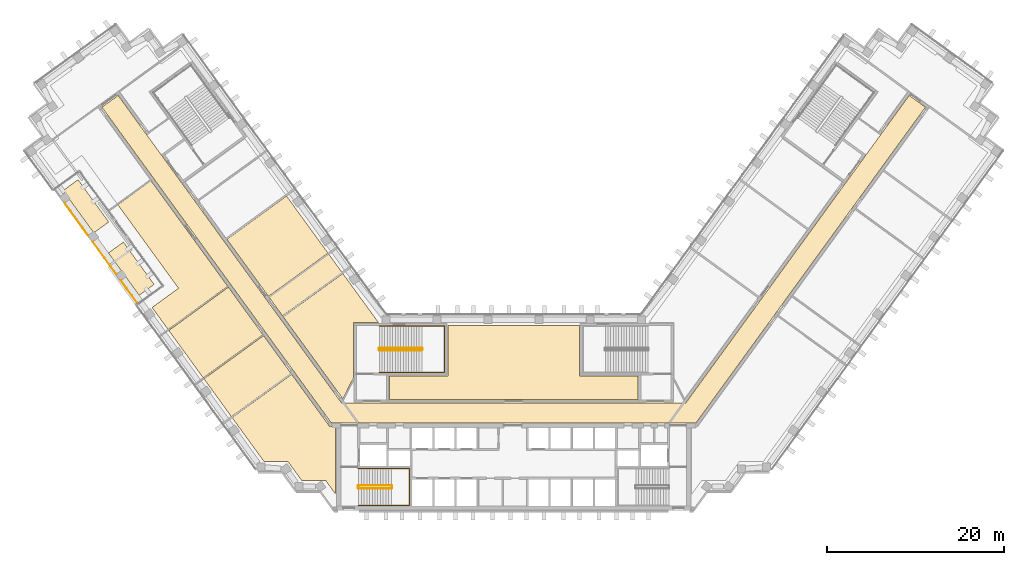
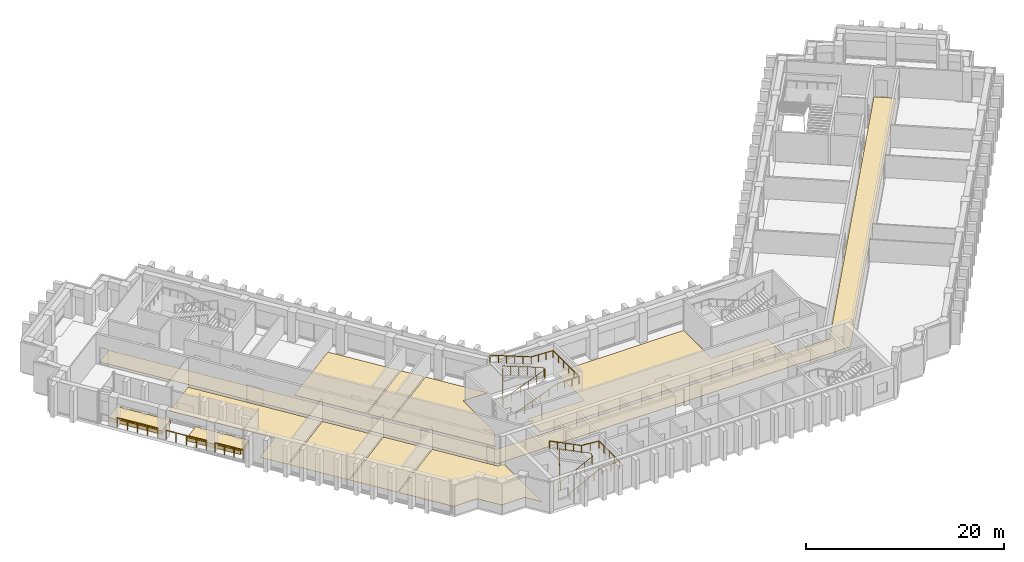
# One storey, part 14 of 17: 11 coverings, 7 railings.
"""IFC4 building model written with IfcOpenShell, lengths in metres."""

from ifc_helpers import new_model, si_unit, direction, frame, origin, origin_2d, place, context, subcontext, project, spatial, polyline, circle, outline, extrude, material, layer, layer_set, type_object, element, save


model = new_model("IFC4")

# Units and contexts
model_context = context("Model", 3, precision=1e-05, world=origin(), true_north=direction((0.0, 1.0)))
body_context = subcontext(model_context, "Body", "Model", "MODEL_VIEW")
ifc_project = project(units=[si_unit("LENGTHUNIT", "METRE"), si_unit("AREAUNIT", "SQUARE_METRE"), si_unit("VOLUMEUNIT", "CUBIC_METRE"), si_unit("PLANEANGLEUNIT", "RADIAN"), si_unit("MASSUNIT", "GRAM", prefix="KILO")], contexts=[model_context])

# Site, building, storey
site_placement = place(None, origin())
site = spatial("IfcSite", under=ifc_project, at=site_placement, CompositionType="ELEMENT")
building_placement = place(site_placement, origin())
building = spatial("IfcBuilding", under=site, at=building_placement, Name="Quipu Civic Tower", CompositionType="ELEMENT")
storey_placement = place(building_placement, frame((0.0, 0.0, 43.0)))
storey = spatial("IfcBuildingStorey", under=building, at=storey_placement, Name="L09", CompositionType="ELEMENT", Elevation=43.0)

# Coverings
ifc_material_1 = material(Name="Carpet tile on raised access floor")
ifc_layer_1 = layer(ifc_material_1, 0.02001953125)
ifc_layer_set_1 = layer_set([ifc_layer_1], Name="Carpet tile on raised access floor")
covering_type_1 = type_object("IfcCoveringType", Name="Carpet tile floor finish 20", PredefinedType="FLOORING", material=ifc_layer_set_1)
covering_1_placement = place(storey_placement, origin())
element("IfcCovering", 1, at=covering_1_placement, inside=storey, type_object=covering_type_1, Name="Carpet tile floor finish 20", PredefinedType="FLOORING", context=body_context, shape_type="SweptSolid", body=[
    extrude(outline(polyline([(-44.64697265625, 23.470947265625), (-40.905029296875, 26.18798828125), (-32.260009765625, 14.287109375), (-38.98291015625, 9.404052734375), (-40.783935546875, 11.883056640625), (-37.802978515625, 14.051025390625), (-44.64697265625, 23.470947265625)])), origin(), (0.0, 0.0, 1.0), 0.02001953125),
])
covering_2_placement = place(storey_placement, origin())
element("IfcCovering", 2, at=covering_2_placement, inside=storey, type_object=covering_type_1, Name="Carpet tile floor finish 20", PredefinedType="FLOORING", context=body_context, shape_type="SweptSolid", body=[
    extrude(outline(polyline([(-38.89990234375, 9.291015625), (-32.177001953125, 14.174072265625), (-28.2919921875, 8.826904296875), (-35.01611328125, 3.943115234375), (-38.89990234375, 9.291015625)])), origin(), (0.0, 0.0, 1.0), 0.02001953125),
])
covering_3_placement = place(storey_placement, origin())
element("IfcCovering", 3, at=covering_3_placement, inside=storey, type_object=covering_type_1, Name="Carpet tile floor finish 20", PredefinedType="FLOORING", context=body_context, shape_type="SweptSolid", body=[
    extrude(outline(polyline([(-14.030029296875, 1.52001953125), (-14.030029296875, 4.179931640625), (-7.429931640625, 4.180908203125), (-7.429931640625, 9.830078125), (7.429931640625, 9.830078125), (7.430908203125, 4.179931640625), (14.030029296875, 4.179931640625), (14.030029296875, 1.52001953125), (-14.030029296875, 1.52001953125)])), origin(), (0.0, 0.0, 1.0), 0.02001953125),
])
ifc_material_2 = material(Name="Ceramic floor tile")
ifc_layer_2 = layer(ifc_material_2, 0.030029296875)
ifc_layer_set_2 = layer_set([ifc_layer_2], Name="Ceramic floor tile")
covering_type_2 = type_object("IfcCoveringType", Name="Ceramic tile floor finish 30", PredefinedType="FLOORING", material=ifc_layer_set_2)
covering_4_placement = place(storey_placement, origin())
element("IfcCovering", 4, at=covering_4_placement, inside=storey, type_object=covering_type_2, Name="Ceramic tile floor finish 30", PredefinedType="FLOORING", context=body_context, shape_type="SweptSolid", body=[
    extrude(outline(polyline([(-34.931884765625, 3.830078125), (-28.208984375, 8.714111328125), (-25.117919921875, 4.4580078125), (-31.841064453125, -0.426025390625), (-34.931884765625, 3.830078125)])), origin(), (0.0, 0.0, 1.0), 0.030029296875),
])
ifc_material_3 = material(Name="Planting soil on drainage board")
ifc_layer_3 = layer(ifc_material_3, 0.449951171875)
ifc_layer_set_3 = layer_set([ifc_layer_3], Name="Planting soil on drainage board")
covering_type_3 = type_object("IfcCoveringType", Name="Planted terrace build-up", PredefinedType="FLOORING", material=ifc_layer_set_3)
covering_5_placement = place(storey_placement, origin())
element("IfcCovering", 5, at=covering_5_placement, inside=storey, type_object=covering_type_3, Name="Planted terrace L09 bed 1", PredefinedType="FLOORING", context=body_context, shape_type="SweptSolid", body=[
    extrude(outline(polyline([(-50.822998046875, 25.07080078125), (-49.135498046875, 26.296875), (-45.667724609375, 21.523681640625), (-47.35498046875, 20.297607421875), (-50.822998046875, 25.07080078125)])), origin(), (0.0, 0.0, 1.0), 0.449951171875),
])
covering_6_placement = place(storey_placement, origin())
element("IfcCovering", 6, at=covering_6_placement, inside=storey, type_object=covering_type_3, Name="Planted terrace L09 bed 2", PredefinedType="FLOORING", context=body_context, shape_type="SweptSolid", body=[
    extrude(outline(polyline([(-45.709228515625, 18.032470703125), (-44.02197265625, 19.25830078125), (-40.553955078125, 14.485107421875), (-42.2412109375, 13.25927734375), (-45.709228515625, 18.032470703125)])), origin(), (0.0, 0.0, 1.0), 0.449951171875),
])
ifc_material_4 = material(Name="Sealed cement screed")
ifc_layer_4 = layer(ifc_material_4, 0.050048828125)
ifc_layer_set_4 = layer_set([ifc_layer_4], Name="Sealed cement screed")
covering_type_4 = type_object("IfcCoveringType", Name="Sealed screed floor finish 50", PredefinedType="FLOORING", material=ifc_layer_set_4)
covering_7_placement = place(storey_placement, origin())
element("IfcCovering", 7, at=covering_7_placement, inside=storey, type_object=covering_type_4, Name="Sealed screed floor finish 50", PredefinedType="FLOORING", context=body_context, shape_type="SweptSolid", body=[
    extrude(outline(polyline([(-27.577880859375, 13.01708984375), (-20.85498046875, 17.90087890625), (-19.35107421875, 15.8291015625), (-26.073974609375, 10.946044921875), (-27.577880859375, 13.01708984375)])), origin(), (0.0, 0.0, 1.0), 0.050048828125),
])
covering_8_placement = place(storey_placement, origin())
element("IfcCovering", 8, at=covering_8_placement, inside=storey, type_object=covering_type_4, Name="Sealed screed floor finish 50", PredefinedType="FLOORING", context=body_context, shape_type="SweptSolid", body=[
    extrude(outline(polyline([(-25.990966796875, 10.8330078125), (-19.26806640625, 15.716064453125), (-15.238037109375, 10.169921875), (-18.070068359375, 10.1689453125), (-18.070068359375, 3.94189453125), (-19.27197265625, 1.583984375), (-25.990966796875, 10.8330078125)])), origin(), (0.0, 0.0, 1.0), 0.050048828125),
])
covering_9_placement = place(storey_placement, origin())
element("IfcCovering", 9, at=covering_9_placement, inside=storey, type_object=covering_type_4, Name="Sealed screed floor finish 50", PredefinedType="FLOORING", context=body_context, shape_type="SweptSolid", body=[
    extrude(outline(polyline([(-31.758056640625, -0.5390625), (-25.034912109375, 4.344970703125), (-20.77490234375, -1.51904296875), (-20.070068359375, -1.52001953125), (-20.070068359375, -9.195068359375), (-21.196044921875, -7.64599609375), (-21.6630859375, -7.64599609375), (-21.666015625, -7.64404296875), (-21.669921875, -7.64111328125), (-21.675048828125, -7.639892578125), (-21.679931640625, -7.637939453125), (-21.68408203125, -7.636962890625), (-21.68896484375, -7.636962890625), (-21.694091796875, -7.635986328125), (-21.698974609375, -7.636962890625), (-21.7041015625, -7.637939453125), (-21.708984375, -7.638916015625), (-21.712890625, -7.64111328125), (-21.718017578125, -7.64306640625), (-21.721923828125, -7.64599609375), (-21.721923828125, -7.64599609375), (-23.89501953125, -7.64599609375), (-25.48193359375, -5.4619140625), (-28.181884765625, -5.4609375), (-31.758056640625, -0.5390625)])), origin(), (0.0, 0.0, 1.0), 0.050048828125),
])
covering_10_placement = place(storey_placement, origin())
element("IfcCovering", 10, at=covering_10_placement, inside=storey, type_object=covering_type_4, Name="Sealed screed floor finish 50", PredefinedType="FLOORING", context=body_context, shape_type="SweptSolid", body=[
    extrude(outline(polyline([(-32.339111328125, 19.570068359375), (-25.615966796875, 24.4541015625), (-20.93798828125, 18.013916015625), (-27.660888671875, 13.1298828125), (-32.339111328125, 19.570068359375)])), origin(), (0.0, 0.0, 1.0), 0.050048828125),
])

# Railings
ifc_material_5 = material(Name="Stainless steel", Category="steel")
railing_type_1 = type_object("IfcRailingType", Name="Stair guard 1100", PredefinedType="GUARDRAIL", material=ifc_material_5)
railing_1_placement = place(storey_placement, frame((-17.5, -8.550048828125, 0.15380859375)))
element("IfcRailing", 11, at=railing_1_placement, inside=storey, type_object=railing_type_1, Name="Stair 1 guard", PredefinedType="GUARDRAIL", context=body_context, shape_type="SweptSolid", body=[
    extrude(circle(Radius=0.02392578125, at=origin_2d()), frame((0.0, 0.0, 1.076171875), z_axis=(0.895751851347, 0.0, 0.444554407028), x_axis=(0.0, 1.0, 0.0)), (0.0, 0.0, 1.0), 4.15283203125),
    extrude(circle(Radius=0.02392578125, at=origin_2d()), frame((3.719970703125, 0.0, 2.92236328125), z_axis=(0.707106781187, 0.707106781187, 0.0), x_axis=(-0.707106781187, 0.707106781187, 0.0)), (0.0, 0.0, 1.0), 0.07080078125),
    extrude(circle(Radius=0.02392578125, at=origin_2d()), frame((3.77001953125, 0.050048828125, 2.92236328125), z_axis=(0.0, 1.0, 0.0), x_axis=(-1.0, 0.0, 0.0)), (0.0, 0.0, 1.0), 0.25),
    extrude(circle(Radius=0.02392578125, at=origin_2d()), frame((3.77001953125, 0.300048828125, 2.92236328125), z_axis=(-0.295599637079, 0.295599637079, 0.908428152975), x_axis=(-0.707106781187, -0.707106781187, 0.0)), (0.0, 0.0, 1.0), 0.16943359375),
    extrude(circle(Radius=0.02392578125, at=origin_2d()), frame((3.719970703125, 0.35009765625, 3.076171875), z_axis=(-0.895751851347, 0.0, 0.444554407028), x_axis=(0.0, -1.0, 0.0)), (0.0, 0.0, 1.0), 4.15283203125),
    extrude(circle(Radius=0.02392578125, at=origin_2d()), frame((0.0, 0.35009765625, 4.92236328125), z_axis=(-0.012476181752, -0.074796231092, -0.997120789425), x_axis=(0.986372223864, -0.164529134168, 0.0)), (0.0, 0.0, 1.0), 4.011474609375),
    extrude(circle(Radius=0.02392578125, at=origin_2d()), frame((-0.050048828125, 0.050048828125, 0.92236328125), z_axis=(0.0, 1.0, 0.0), x_axis=(-1.0, 0.0, 0.0)), (0.0, 0.0, 1.0), 0.25),
    extrude(circle(Radius=0.02099609375, at=origin_2d()), origin(), (0.0, 0.0, 1.0), 1.052001953125),
    extrude(circle(Radius=0.02099609375, at=origin_2d()), frame((0.929931640625, 0.0, 0.46142578125)), (0.0, 0.0, 1.0), 1.052001953125),
    extrude(circle(Radius=0.02099609375, at=origin_2d()), frame((1.85986328125, 0.0, 0.923095703125)), (0.0, 0.0, 1.0), 1.052001953125),
    extrude(circle(Radius=0.02099609375, at=origin_2d()), frame((2.7900390625, 0.0, 1.384765625)), (0.0, 0.0, 1.0), 1.052001953125),
    extrude(circle(Radius=0.02099609375, at=origin_2d()), frame((3.719970703125, 0.0, 1.84619140625)), (0.0, 0.0, 1.0), 1.052001953125),
    extrude(circle(Radius=0.02099609375, at=origin_2d()), frame((3.77001953125, 0.050048828125, 1.84619140625)), (0.0, 0.0, 1.0), 1.052001953125),
    extrude(circle(Radius=0.02099609375, at=origin_2d()), frame((3.77001953125, 0.300048828125, 1.84619140625)), (0.0, 0.0, 1.0), 1.052001953125),
    extrude(circle(Radius=0.02099609375, at=origin_2d()), frame((3.719970703125, 0.35009765625, 2.0)), (0.0, 0.0, 1.0), 1.052001953125),
    extrude(circle(Radius=0.02099609375, at=origin_2d()), frame((2.7900390625, 0.35009765625, 2.46142578125)), (0.0, 0.0, 1.0), 1.052001953125),
    extrude(circle(Radius=0.02099609375, at=origin_2d()), frame((1.85986328125, 0.35009765625, 2.923095703125)), (0.0, 0.0, 1.0), 1.052001953125),
    extrude(circle(Radius=0.02099609375, at=origin_2d()), frame((0.929931640625, 0.35009765625, 3.384765625)), (0.0, 0.0, 1.0), 1.052001953125),
    extrude(circle(Radius=0.02099609375, at=origin_2d()), frame((0.0, 0.35009765625, 3.84619140625)), (0.0, 0.0, 1.0), 1.052001953125),
    extrude(circle(Radius=0.02099609375, at=origin_2d()), frame((-0.012451171875, 0.275146484375, 2.84619140625)), (0.0, 0.0, 1.0), 1.052001953125),
    extrude(circle(Radius=0.02099609375, at=origin_2d()), frame((-0.02490234375, 0.2001953125, 1.84619140625)), (0.0, 0.0, 1.0), 1.052001953125),
    extrude(circle(Radius=0.02099609375, at=origin_2d()), frame((-0.03759765625, 0.125, 0.84619140625)), (0.0, 0.0, 1.0), 1.052001953125),
    extrude(circle(Radius=0.02099609375, at=origin_2d()), frame((-0.050048828125, 0.050048828125, -0.15380859375)), (0.0, 0.0, 1.0), 1.052001953125),
    extrude(circle(Radius=0.02099609375, at=origin_2d()), frame((-0.050048828125, 0.300048828125, -0.15380859375)), (0.0, 0.0, 1.0), 1.052001953125),
])
railing_2_placement = place(storey_placement, frame((-15.14990234375, 7.050048828125, 0.11767578125)))
element("IfcRailing", 12, at=railing_2_placement, inside=storey, type_object=railing_type_1, Name="Stair 3 guard", PredefinedType="GUARDRAIL", context=body_context, shape_type="SweptSolid", body=[
    extrude(circle(Radius=0.02392578125, at=origin_2d()), frame((0.0, 0.0, 1.076171875), z_axis=(0.930970042603, 0.0, 0.365095576219), x_axis=(0.0, 1.0, 0.0)), (0.0, 0.0, 1.0), 5.15576171875),
    extrude(circle(Radius=0.02392578125, at=origin_2d()), frame((4.7998046875, 0.0, 2.95849609375), z_axis=(0.707106781187, 0.707106781187, 0.0), x_axis=(-0.707106781187, 0.707106781187, 0.0)), (0.0, 0.0, 1.0), 0.07080078125),
    extrude(circle(Radius=0.02392578125, at=origin_2d()), frame((4.849853515625, 0.050048828125, 2.95849609375), z_axis=(0.0, 1.0, 0.0), x_axis=(-1.0, 0.0, 0.0)), (0.0, 0.0, 1.0), 0.14990234375),
    extrude(circle(Radius=0.02392578125, at=origin_2d()), frame((4.849853515625, 0.199951171875, 2.95849609375), z_axis=(-0.364463019033, 0.364463019033, 0.856932561824), x_axis=(-0.707106781187, -0.707106781187, 0.0)), (0.0, 0.0, 1.0), 0.13720703125),
    extrude(circle(Radius=0.02392578125, at=origin_2d()), frame((4.7998046875, 0.25, 3.076171875), z_axis=(-0.930970042603, 0.0, 0.365095576219), x_axis=(0.0, -1.0, 0.0)), (0.0, 0.0, 1.0), 5.15576171875),
    extrude(circle(Radius=0.02392578125, at=origin_2d()), frame((0.0, 0.25, 4.95849609375), z_axis=(-0.012495627992, -0.049921557685, -0.998674970829), x_axis=(0.970072785993, -0.242814311512, 0.0)), (0.0, 0.0, 1.0), 4.00537109375),
    extrude(circle(Radius=0.02392578125, at=origin_2d()), frame((-0.050048828125, 0.050048828125, 0.95849609375), z_axis=(0.0, 1.0, 0.0), x_axis=(-1.0, 0.0, 0.0)), (0.0, 0.0, 1.0), 0.14990234375),
    extrude(circle(Radius=0.02099609375, at=origin_2d()), origin(), (0.0, 0.0, 1.0), 1.052001953125),
    extrude(circle(Radius=0.02099609375, at=origin_2d()), frame((0.9599609375, 0.0, 0.37646484375)), (0.0, 0.0, 1.0), 1.052001953125),
    extrude(circle(Radius=0.02099609375, at=origin_2d()), frame((1.919921875, 0.0, 0.7529296875)), (0.0, 0.0, 1.0), 1.052001953125),
    extrude(circle(Radius=0.02099609375, at=origin_2d()), frame((2.8798828125, 0.0, 1.12939453125)), (0.0, 0.0, 1.0), 1.052001953125),
    extrude(circle(Radius=0.02099609375, at=origin_2d()), frame((3.83984375, 0.0, 1.505859375)), (0.0, 0.0, 1.0), 1.052001953125),
    extrude(circle(Radius=0.02099609375, at=origin_2d()), frame((4.7998046875, 0.0, 1.88232421875)), (0.0, 0.0, 1.0), 1.052001953125),
    extrude(circle(Radius=0.02099609375, at=origin_2d()), frame((4.849853515625, 0.050048828125, 1.88232421875)), (0.0, 0.0, 1.0), 1.052001953125),
    extrude(circle(Radius=0.02099609375, at=origin_2d()), frame((4.849853515625, 0.199951171875, 1.88232421875)), (0.0, 0.0, 1.0), 1.052001953125),
    extrude(circle(Radius=0.02099609375, at=origin_2d()), frame((4.7998046875, 0.25, 2.0)), (0.0, 0.0, 1.0), 1.052001953125),
    extrude(circle(Radius=0.02099609375, at=origin_2d()), frame((3.83984375, 0.25, 2.37646484375)), (0.0, 0.0, 1.0), 1.052001953125),
    extrude(circle(Radius=0.02099609375, at=origin_2d()), frame((2.8798828125, 0.25, 2.7529296875)), (0.0, 0.0, 1.0), 1.052001953125),
    extrude(circle(Radius=0.02099609375, at=origin_2d()), frame((1.919921875, 0.25, 3.12939453125)), (0.0, 0.0, 1.0), 1.052001953125),
    extrude(circle(Radius=0.02099609375, at=origin_2d()), frame((0.9599609375, 0.25, 3.505859375)), (0.0, 0.0, 1.0), 1.052001953125),
    extrude(circle(Radius=0.02099609375, at=origin_2d()), frame((0.0, 0.25, 3.88232421875)), (0.0, 0.0, 1.0), 1.052001953125),
    extrude(circle(Radius=0.02099609375, at=origin_2d()), frame((-0.012451171875, 0.199951171875, 2.88232421875)), (0.0, 0.0, 1.0), 1.052001953125),
    extrude(circle(Radius=0.02099609375, at=origin_2d()), frame((-0.02490234375, 0.14990234375, 1.88232421875)), (0.0, 0.0, 1.0), 1.052001953125),
    extrude(circle(Radius=0.02099609375, at=origin_2d()), frame((-0.03759765625, 0.10009765625, 0.88232421875)), (0.0, 0.0, 1.0), 1.052001953125),
    extrude(circle(Radius=0.02099609375, at=origin_2d()), frame((-0.050048828125, 0.050048828125, -0.11767578125)), (0.0, 0.0, 1.0), 1.052001953125),
    extrude(circle(Radius=0.02099609375, at=origin_2d()), frame((-0.050048828125, 0.199951171875, -0.11767578125)), (0.0, 0.0, 1.0), 1.052001953125),
])
ifc_material_6 = material(Name="Stainless steel", Category="steel")
railing_type_2 = type_object("IfcRailingType", Name="Stair handrail", PredefinedType="HANDRAIL", material=ifc_material_6)
railing_3_placement = place(storey_placement, frame((-17.5, -10.449951171875, 0.15380859375)))
element("IfcRailing", 13, at=railing_3_placement, inside=storey, type_object=railing_type_2, Name="Stair 1 handrail", PredefinedType="HANDRAIL", context=body_context, shape_type="SweptSolid", body=[
    extrude(circle(Radius=0.02392578125, at=origin_2d()), frame((0.0, 0.0, 0.8759765625), z_axis=(0.895751851347, 0.0, 0.444554407028), x_axis=(0.0, 1.0, 0.0)), (0.0, 0.0, 1.0), 4.15283203125),
    extrude(circle(Radius=0.02392578125, at=origin_2d()), frame((3.719970703125, 0.0, 2.72216796875), z_axis=(1.0, 0.0, 0.0), x_axis=(0.0, 1.0, 0.0)), (0.0, 0.0, 1.0), 2.030029296875),
    extrude(circle(Radius=0.02392578125, at=origin_2d()), frame((5.75, 0.0, 2.72216796875), z_axis=(0.0, 1.0, 0.0), x_axis=(-1.0, 0.0, 0.0)), (0.0, 0.0, 1.0), 4.14990234375),
    extrude(circle(Radius=0.02392578125, at=origin_2d()), frame((5.75, 4.14990234375, 2.72216796875), z_axis=(-0.997142003663, 0.0, 0.075550145798), x_axis=(0.0, -1.0, 0.0)), (0.0, 0.0, 1.0), 2.035888671875),
    extrude(circle(Radius=0.02392578125, at=origin_2d()), frame((3.719970703125, 4.14990234375, 2.8759765625), z_axis=(-0.895751851347, 0.0, 0.444554407028), x_axis=(0.0, -1.0, 0.0)), (0.0, 0.0, 1.0), 4.15283203125),
    extrude(circle(Radius=0.02099609375, at=origin_2d()), origin(), (0.0, 0.0, 1.0), 0.851806640625),
    extrude(circle(Radius=0.02099609375, at=origin_2d()), frame((0.929931640625, 0.0, 0.46142578125)), (0.0, 0.0, 1.0), 0.851806640625),
    extrude(circle(Radius=0.02099609375, at=origin_2d()), frame((1.85986328125, 0.0, 0.923095703125)), (0.0, 0.0, 1.0), 0.851806640625),
    extrude(circle(Radius=0.02099609375, at=origin_2d()), frame((2.7900390625, 0.0, 1.384765625)), (0.0, 0.0, 1.0), 0.851806640625),
    extrude(circle(Radius=0.02099609375, at=origin_2d()), frame((3.719970703125, 0.0, 1.84619140625)), (0.0, 0.0, 1.0), 0.851806640625),
    extrude(circle(Radius=0.02099609375, at=origin_2d()), frame((4.73486328125, 0.0, 1.84619140625)), (0.0, 0.0, 1.0), 0.851806640625),
    extrude(circle(Radius=0.02099609375, at=origin_2d()), frame((5.75, 0.0, 1.84619140625)), (0.0, 0.0, 1.0), 0.851806640625),
    extrude(circle(Radius=0.02099609375, at=origin_2d()), frame((5.75, 1.03759765625, 1.84619140625)), (0.0, 0.0, 1.0), 0.851806640625),
    extrude(circle(Radius=0.02099609375, at=origin_2d()), frame((5.75, 2.074951171875, 1.84619140625)), (0.0, 0.0, 1.0), 0.851806640625),
    extrude(circle(Radius=0.02099609375, at=origin_2d()), frame((5.75, 3.1123046875, 1.84619140625)), (0.0, 0.0, 1.0), 0.851806640625),
    extrude(circle(Radius=0.02099609375, at=origin_2d()), frame((5.75, 4.14990234375, 1.84619140625)), (0.0, 0.0, 1.0), 0.851806640625),
    extrude(circle(Radius=0.02099609375, at=origin_2d()), frame((4.73486328125, 4.14990234375, 1.923095703125)), (0.0, 0.0, 1.0), 0.851806640625),
    extrude(circle(Radius=0.02099609375, at=origin_2d()), frame((3.719970703125, 4.14990234375, 2.0)), (0.0, 0.0, 1.0), 0.851806640625),
    extrude(circle(Radius=0.02099609375, at=origin_2d()), frame((2.7900390625, 4.14990234375, 2.46142578125)), (0.0, 0.0, 1.0), 0.851806640625),
    extrude(circle(Radius=0.02099609375, at=origin_2d()), frame((1.85986328125, 4.14990234375, 2.923095703125)), (0.0, 0.0, 1.0), 0.851806640625),
    extrude(circle(Radius=0.02099609375, at=origin_2d()), frame((0.929931640625, 4.14990234375, 3.384765625)), (0.0, 0.0, 1.0), 0.851806640625),
    extrude(circle(Radius=0.02099609375, at=origin_2d()), frame((0.0, 4.14990234375, 3.84619140625)), (0.0, 0.0, 1.0), 0.851806640625),
])
railing_4_placement = place(storey_placement, frame((-15.14990234375, 4.550048828125, 0.11767578125)))
element("IfcRailing", 14, at=railing_4_placement, inside=storey, type_object=railing_type_2, Name="Stair 3 handrail", PredefinedType="HANDRAIL", context=body_context, shape_type="SweptSolid", body=[
    extrude(circle(Radius=0.02392578125, at=origin_2d()), frame((0.0, 0.0, 0.8759765625), z_axis=(0.930970042603, 0.0, 0.365095576219), x_axis=(0.0, 1.0, 0.0)), (0.0, 0.0, 1.0), 5.15576171875),
    extrude(circle(Radius=0.02392578125, at=origin_2d()), frame((4.7998046875, 0.0, 2.75830078125), z_axis=(1.0, 0.0, 0.0), x_axis=(0.0, 1.0, 0.0)), (0.0, 0.0, 1.0), 2.550048828125),
    extrude(circle(Radius=0.02392578125, at=origin_2d()), frame((7.349853515625, 0.0, 2.75830078125), z_axis=(0.0, 1.0, 0.0), x_axis=(-1.0, 0.0, 0.0)), (0.0, 0.0, 1.0), 5.25),
    extrude(circle(Radius=0.02392578125, at=origin_2d()), frame((7.349853515625, 5.25, 2.75830078125), z_axis=(-0.998936948642, 0.0, 0.04609742549), x_axis=(0.0, -1.0, 0.0)), (0.0, 0.0, 1.0), 2.552734375),
    extrude(circle(Radius=0.02392578125, at=origin_2d()), frame((4.7998046875, 5.25, 2.8759765625), z_axis=(-0.930970042603, 0.0, 0.365095576219), x_axis=(0.0, -1.0, 0.0)), (0.0, 0.0, 1.0), 5.15576171875),
    extrude(circle(Radius=0.02099609375, at=origin_2d()), origin(), (0.0, 0.0, 1.0), 0.851806640625),
    extrude(circle(Radius=0.02099609375, at=origin_2d()), frame((0.9599609375, 0.0, 0.37646484375)), (0.0, 0.0, 1.0), 0.851806640625),
    extrude(circle(Radius=0.02099609375, at=origin_2d()), frame((1.919921875, 0.0, 0.7529296875)), (0.0, 0.0, 1.0), 0.851806640625),
    extrude(circle(Radius=0.02099609375, at=origin_2d()), frame((2.8798828125, 0.0, 1.12939453125)), (0.0, 0.0, 1.0), 0.851806640625),
    extrude(circle(Radius=0.02099609375, at=origin_2d()), frame((3.83984375, 0.0, 1.505859375)), (0.0, 0.0, 1.0), 0.851806640625),
    extrude(circle(Radius=0.02099609375, at=origin_2d()), frame((4.7998046875, 0.0, 1.88232421875)), (0.0, 0.0, 1.0), 0.851806640625),
    extrude(circle(Radius=0.02099609375, at=origin_2d()), frame((5.64990234375, 0.0, 1.88232421875)), (0.0, 0.0, 1.0), 0.851806640625),
    extrude(circle(Radius=0.02099609375, at=origin_2d()), frame((6.499755859375, 0.0, 1.88232421875)), (0.0, 0.0, 1.0), 0.851806640625),
    extrude(circle(Radius=0.02099609375, at=origin_2d()), frame((7.349853515625, 0.0, 1.88232421875)), (0.0, 0.0, 1.0), 0.851806640625),
    extrude(circle(Radius=0.02099609375, at=origin_2d()), frame((7.349853515625, 1.050048828125, 1.88232421875)), (0.0, 0.0, 1.0), 0.851806640625),
    extrude(circle(Radius=0.02099609375, at=origin_2d()), frame((7.349853515625, 2.10009765625, 1.88232421875)), (0.0, 0.0, 1.0), 0.851806640625),
    extrude(circle(Radius=0.02099609375, at=origin_2d()), frame((7.349853515625, 3.14990234375, 1.88232421875)), (0.0, 0.0, 1.0), 0.851806640625),
    extrude(circle(Radius=0.02099609375, at=origin_2d()), frame((7.349853515625, 4.199951171875, 1.88232421875)), (0.0, 0.0, 1.0), 0.851806640625),
    extrude(circle(Radius=0.02099609375, at=origin_2d()), frame((7.349853515625, 5.25, 1.88232421875)), (0.0, 0.0, 1.0), 0.851806640625),
    extrude(circle(Radius=0.02099609375, at=origin_2d()), frame((6.499755859375, 5.25, 1.921630859375)), (0.0, 0.0, 1.0), 0.851806640625),
    extrude(circle(Radius=0.02099609375, at=origin_2d()), frame((5.64990234375, 5.25, 1.960693359375)), (0.0, 0.0, 1.0), 0.851806640625),
    extrude(circle(Radius=0.02099609375, at=origin_2d()), frame((4.7998046875, 5.25, 2.0)), (0.0, 0.0, 1.0), 0.851806640625),
    extrude(circle(Radius=0.02099609375, at=origin_2d()), frame((3.83984375, 5.25, 2.37646484375)), (0.0, 0.0, 1.0), 0.851806640625),
    extrude(circle(Radius=0.02099609375, at=origin_2d()), frame((2.8798828125, 5.25, 2.7529296875)), (0.0, 0.0, 1.0), 0.851806640625),
    extrude(circle(Radius=0.02099609375, at=origin_2d()), frame((1.919921875, 5.25, 3.12939453125)), (0.0, 0.0, 1.0), 0.851806640625),
    extrude(circle(Radius=0.02099609375, at=origin_2d()), frame((0.9599609375, 5.25, 3.505859375)), (0.0, 0.0, 1.0), 0.851806640625),
    extrude(circle(Radius=0.02099609375, at=origin_2d()), frame((0.0, 5.25, 3.88232421875)), (0.0, 0.0, 1.0), 0.851806640625),
])
ifc_material_7 = material(Name="Steel S275", Category="steel")
railing_type_3 = type_object("IfcRailingType", Name="Terrace guard G1", PredefinedType="GUARDRAIL", material=ifc_material_7)
for number, where, name in (
    (15, (-50.635498046875, 23.656005859375, 0.0), "Terrace guard L09.2"),
    (16, (-47.46142578125, 19.287353515625, 0.0), "Terrace guard L09.3"),
):
    element("IfcRailing", number, at=place(storey_placement, frame(where)), inside=storey, type_object=railing_type_3, Name=name, PredefinedType="GUARDRAIL", context=body_context, shape_type="SweptSolid", body=[
        extrude(circle(Radius=0.02490234375, at=origin_2d()), frame((0.0, 0.0, 1.1748046875), z_axis=(0.587778073121, -0.809022210299, 0.0), x_axis=(0.809022210299, 0.587778073121, 0.0)), (0.0, 0.0, 1.0), 4.5),
        extrude(circle(Radius=0.02490234375, at=origin_2d()), origin(), (0.0, 0.0, 1.0), 1.14990234375),
        extrude(circle(Radius=0.02490234375, at=origin_2d()), frame((0.6611328125, -0.91015625, 0.0)), (0.0, 0.0, 1.0), 1.14990234375),
        extrude(circle(Radius=0.02490234375, at=origin_2d()), frame((1.322509765625, -1.8203125, 0.0)), (0.0, 0.0, 1.0), 1.14990234375),
        extrude(circle(Radius=0.02490234375, at=origin_2d()), frame((1.98388671875, -2.73046875, 0.0)), (0.0, 0.0, 1.0), 1.14990234375),
        extrude(circle(Radius=0.02490234375, at=origin_2d()), frame((2.64501953125, -3.640625, 0.0)), (0.0, 0.0, 1.0), 1.14990234375),
    ])
railing_5_placement = place(storey_placement, frame((-44.287353515625, 14.918701171875, 0.0)))
element("IfcRailing", 17, at=railing_5_placement, inside=storey, type_object=railing_type_3, Name="Terrace guard L09.4", PredefinedType="GUARDRAIL", context=body_context, shape_type="SweptSolid", body=[
    extrude(circle(Radius=0.02490234375, at=origin_2d()), frame((0.0, 0.0, 1.1748046875), z_axis=(0.587747008185, -0.809044778964, 0.0), x_axis=(0.809044778964, 0.587747008185, 0.0)), (0.0, 0.0, 1.0), 3.145263671875),
    extrude(circle(Radius=0.02490234375, at=origin_2d()), origin(), (0.0, 0.0, 1.0), 1.14990234375),
    extrude(circle(Radius=0.02490234375, at=origin_2d()), frame((0.6162109375, -0.84814453125, 0.0)), (0.0, 0.0, 1.0), 1.14990234375),
    extrude(circle(Radius=0.02490234375, at=origin_2d()), frame((1.232421875, -1.696533203125, 0.0)), (0.0, 0.0, 1.0), 1.14990234375),
    extrude(circle(Radius=0.02490234375, at=origin_2d()), frame((1.8486328125, -2.544677734375, 0.0)), (0.0, 0.0, 1.0), 1.14990234375),
])

# Covering
ifc_material_8 = material(Name="Terrazzo floor finish")
ifc_layer_5 = layer(ifc_material_8, 0.0400390625)
ifc_layer_set_5 = layer_set([ifc_layer_5], Name="Terrazzo floor finish")
covering_type_5 = type_object("IfcCoveringType", Name="Terrazzo floor finish 40", PredefinedType="FLOORING", material=ifc_layer_set_5)
covering_11_placement = place(storey_placement, origin())
element("IfcCovering", 18, at=covering_11_placement, inside=storey, type_object=covering_type_5, Name="Terrazzo floor finish 40", PredefinedType="FLOORING", context=body_context, shape_type="SweptSolid", body=[
    extrude(outline(polyline([(20.574951171875, -1.1298828125), (-20.574951171875, -1.1298828125), (-46.44091796875, 34.471923828125), (-44.613037109375, 35.800048828125), (-19.425048828125, 1.1298828125), (19.425048828125, 1.1298828125), (44.613037109375, 35.800048828125), (46.44091796875, 34.471923828125), (20.574951171875, -1.1298828125)])), origin(), (0.0, 0.0, 1.0), 0.0400390625),
])

save(model, "model.ifc")
